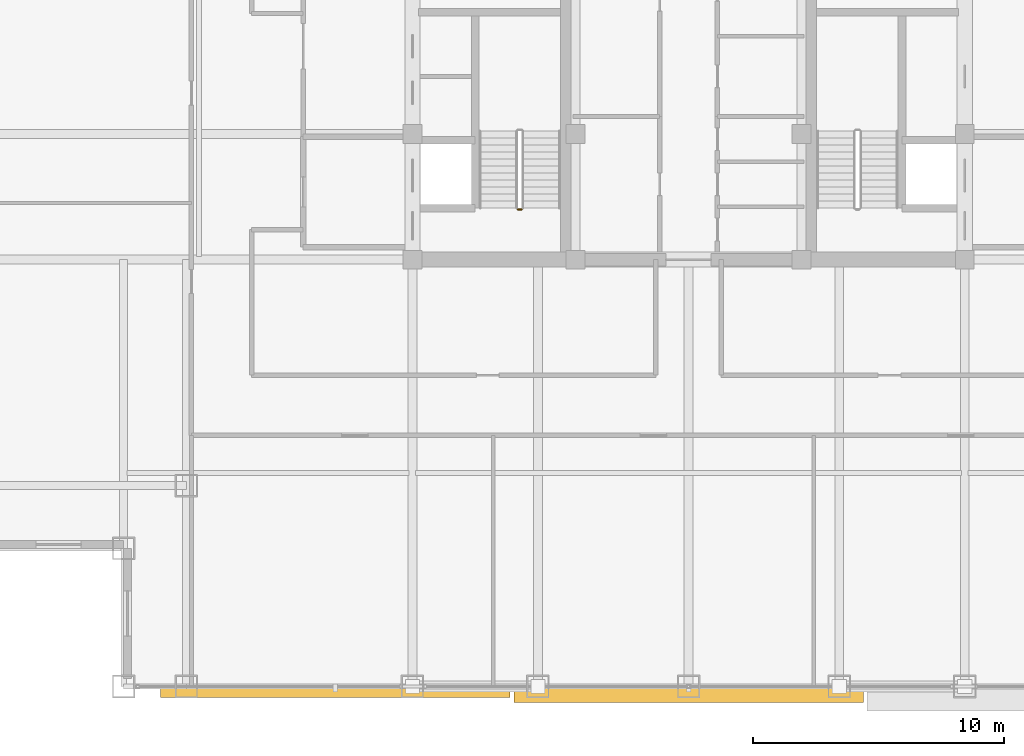
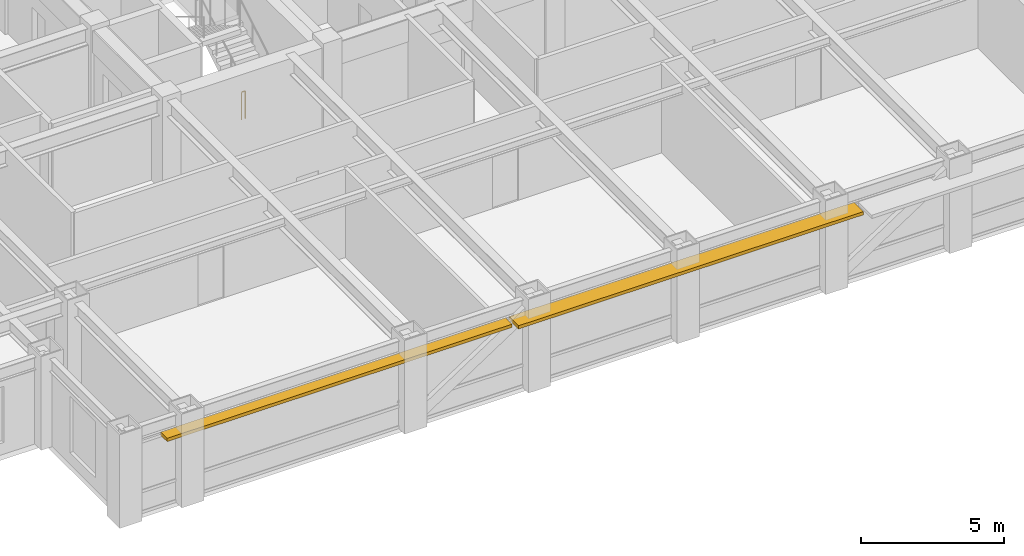
# One storey, part 23 of 27: 2 shading devices, 1 railing.
"""IFC4 building model written with IfcOpenShell, lengths in metres."""

from ifc_helpers import new_model, si_unit, direction, frame, origin, origin_2d, place, context, subcontext, project, spatial, rectangle, circle, extrude, source, transform, mapped, material, layer, layer_set, type_object, element, save


model = new_model("IFC4")

# Units and contexts
model_context = context("Model", 3, precision=1e-05, world=origin(), true_north=direction((0.0, 1.0)))
body_context = subcontext(model_context, "Body", "Model", "MODEL_VIEW")
ifc_project = project(units=[si_unit("LENGTHUNIT", "METRE"), si_unit("AREAUNIT", "SQUARE_METRE"), si_unit("VOLUMEUNIT", "CUBIC_METRE"), si_unit("PLANEANGLEUNIT", "RADIAN"), si_unit("MASSUNIT", "GRAM", prefix="KILO")], contexts=[model_context])

# Site, building, storey
site_placement = place(None, origin())
site = spatial("IfcSite", under=ifc_project, at=site_placement, CompositionType="ELEMENT")
building_placement = place(site_placement, origin())
building = spatial("IfcBuilding", under=site, at=building_placement, Name="Khorayat Bourse Tower", CompositionType="ELEMENT")
storey_placement = place(building_placement, frame((0.0, 0.0, 313.5)))
storey = spatial("IfcBuildingStorey", under=building, at=storey_placement, Name="L74", CompositionType="ELEMENT", Elevation=313.5)

# Shading devices
ifc_material_1 = material(Name="Precast concrete C45/55", Category="concrete")
ifc_layer = layer(ifc_material_1, 0.139892578125)
ifc_layer_set = layer_set([ifc_layer], Name="Precast concrete C45/55")
shading_device_type = type_object("IfcShadingDeviceType", Name="SHD-WAVE-TRAY-A", PredefinedType="USERDEFINED", material=ifc_layer_set)
shared_shape_1 = source(origin(), body_context, "Body", "SweptSolid", [
    extrude(rectangle(XDim=13.9267578125, YDim=0.461669921875, at=origin_2d()), origin(), (0.0, 0.0, 1.0), 0.139892578125),
])
shading_device_1_placement = place(storey_placement, frame((-14.066650390625, -28.2109375, 3.0302734375), z_axis=(0.0, 0.0, 1.0), x_axis=(1.0, 0.0, 0.0)))
element("IfcShadingDevice", 1, at=shading_device_1_placement, inside=storey, type_object=shading_device_type, Name="L74 Sinusoidal Wave Sunshade Tray S-1", ObjectType="SUNSHADE", PredefinedType="USERDEFINED", context=body_context, shape_type="MappedRepresentation", body=[
    mapped(shared_shape_1, transform((0.0, 0.0, 0.0), scale=1.0)),
])
shared_shape_2 = source(origin(), body_context, "Body", "SweptSolid", [
    extrude(rectangle(XDim=13.9267578125, YDim=0.6611328125, at=origin_2d()), origin(), (0.0, 0.0, 1.0), 0.139892578125),
])
shading_device_2_placement = place(storey_placement, frame((0.0, -28.310546875, 3.0302734375), z_axis=(0.0, 0.0, 1.0), x_axis=(1.0, 0.0, 0.0)))
element("IfcShadingDevice", 2, at=shading_device_2_placement, inside=storey, type_object=shading_device_type, Name="L74 Sinusoidal Wave Sunshade Tray S-2", ObjectType="SUNSHADE", PredefinedType="USERDEFINED", context=body_context, shape_type="MappedRepresentation", body=[
    mapped(shared_shape_2, transform((0.0, 0.0, 0.0), scale=1.0)),
])

# Railing
ifc_material_2 = material(Name="Powder-coated steel balustrade", Category="steel")
railing_type = type_object("IfcRailingType", Name="RLG-GUARD-1200", PredefinedType="GUARDRAIL", material=ifc_material_2)
shared_shape_3 = source(origin(), body_context, "Body", "SweptSolid", [
    extrude(circle(Radius=0.02392578125, at=origin_2d()), frame((0.0, 0.0, 1.17578125), z_axis=(-1.0, 0.0, 0.0), x_axis=(0.0, -1.0, 0.0)), (0.0, 0.0, 1.0), 0.150146484375),
    extrude(circle(Radius=0.02099609375, at=origin_2d()), origin(), (0.0, 0.0, 1.0), 1.15185546875),
    extrude(circle(Radius=0.02099609375, at=origin_2d()), frame((-0.150146484375, 0.0, 0.0)), (0.0, 0.0, 1.0), 1.15185546875),
])
railing_placement = place(storey_placement, frame((-6.64990234375, -9.0, 0.0)))
element("IfcRailing", 3, at=railing_placement, inside=storey, type_object=railing_type, Name="L74 ST-1 stair guard 4", PredefinedType="GUARDRAIL", context=body_context, shape_type="MappedRepresentation", body=[
    mapped(shared_shape_3, transform((0.0, 0.0, 0.0), scale=1.0)),
])

save(model, "model.ifc")
